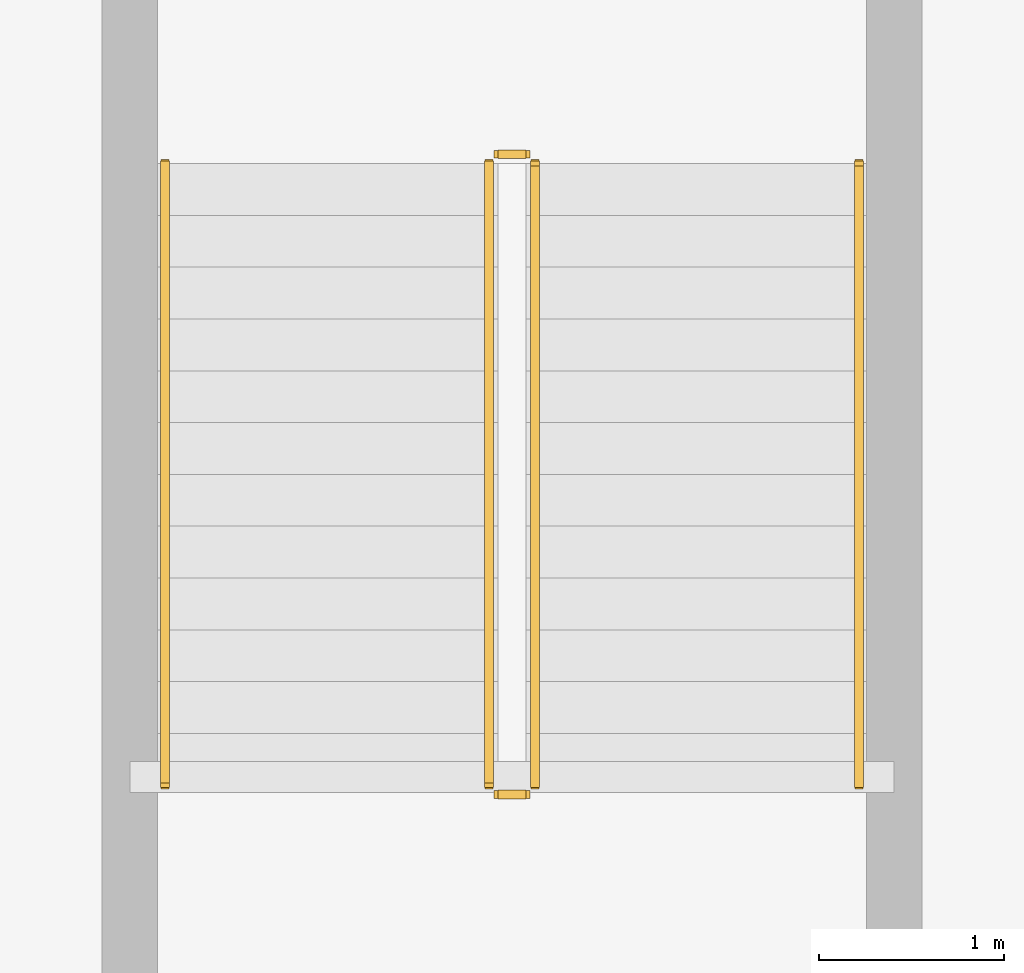
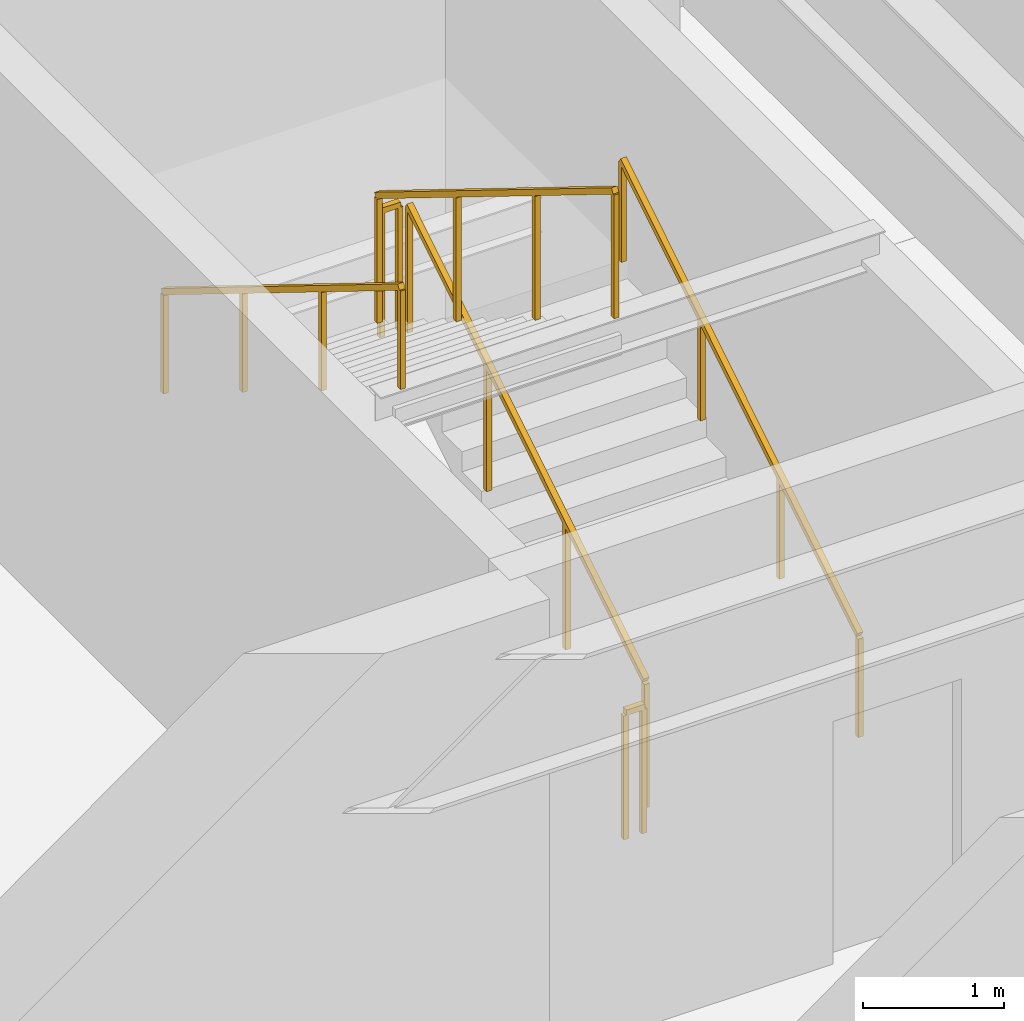
# One storey, part 12 of 12: 6 railings.
"""IFC4 building model written with IfcOpenShell, lengths in metres."""

from ifc_helpers import new_model, si_unit, direction, frame, origin, origin_2d, place, context, subcontext, project, spatial, rectangle, extrude, material, type_object, element, save


model = new_model("IFC4")

# Units and contexts
model_context = context("Model", 3, precision=1e-05, world=origin(), true_north=direction((0.0, 1.0)))
body_context = subcontext(model_context, "Body", "Model", "MODEL_VIEW")
ifc_project = project(units=[si_unit("LENGTHUNIT", "METRE"), si_unit("AREAUNIT", "SQUARE_METRE"), si_unit("VOLUMEUNIT", "CUBIC_METRE"), si_unit("PLANEANGLEUNIT", "RADIAN"), si_unit("MASSUNIT", "GRAM", prefix="KILO")], contexts=[model_context])

# Site, building, storey
site_placement = place(None, origin())
site = spatial("IfcSite", under=ifc_project, at=site_placement, CompositionType="ELEMENT")
building_placement = place(site_placement, origin())
building = spatial("IfcBuilding", under=site, at=building_placement, Name="Vantalir Tower", CompositionType="ELEMENT")
storey_placement = place(building_placement, frame((0.0, 0.0, -9.0)))
storey = spatial("IfcBuildingStorey", under=building, at=storey_placement, Name="B02", CompositionType="ELEMENT", Elevation=-9.0)

# Railings
ifc_material_1 = material(Name="Anodised aluminium and stainless steel guard", Category="steel")
railing_type_1 = type_object("IfcRailingType", Name="RAL-GUARD-1120", PredefinedType="GUARDRAIL", material=ifc_material_1)
railing_1_placement = place(storey_placement, frame((57.199951171875, 40.85009765625, 0.173095703125)))
element("IfcRailing", 1, at=railing_1_placement, inside=storey, type_object=railing_type_1, Name="B02 PST2 stair guard 1", PredefinedType="GUARDRAIL", context=body_context, shape_type="SweptSolid", body=[
    extrude(rectangle(XDim=0.048095703125, YDim=0.048095703125, at=origin_2d()), frame((0.0, 0.0, 1.09619140625), z_axis=(0.0, 0.850606129759, 0.525803396734), x_axis=(-1.0, 0.0, 0.0)), (0.0, 0.0, 1.0), 3.949951171875),
    extrude(rectangle(XDim=0.0419921875, YDim=0.0419921875, at=origin_2d()), origin(), (0.0, 0.0, 1.0), 1.072021484375),
    extrude(rectangle(XDim=0.0419921875, YDim=0.0419921875, at=origin_2d()), frame((0.0, 1.119873046875, 0.6923828125)), (0.0, 0.0, 1.0), 1.072021484375),
    extrude(rectangle(XDim=0.0419921875, YDim=0.0419921875, at=origin_2d()), frame((0.0, 2.239990234375, 1.384521484375)), (0.0, 0.0, 1.0), 1.072021484375),
    extrude(rectangle(XDim=0.0419921875, YDim=0.0419921875, at=origin_2d()), frame((0.0, 3.35986328125, 2.076904296875)), (0.0, 0.0, 1.0), 1.072021484375),
])
railing_2_placement = place(storey_placement, frame((57.14990234375, 44.260009765625, 2.25)))
element("IfcRailing", 2, at=railing_2_placement, inside=storey, type_object=railing_type_1, Name="B02 PST2 stair guard 2", PredefinedType="GUARDRAIL", context=body_context, shape_type="SweptSolid", body=[
    extrude(rectangle(XDim=0.048095703125, YDim=0.048095703125, at=origin_2d()), frame((0.0, 0.0, 1.09619140625), z_axis=(-1.0, 0.0, 0.0), x_axis=(0.0, -1.0, 0.0)), (0.0, 0.0, 1.0), 0.14990234375),
    extrude(rectangle(XDim=0.0419921875, YDim=0.0419921875, at=origin_2d()), origin(), (0.0, 0.0, 1.0), 1.072021484375),
    extrude(rectangle(XDim=0.0419921875, YDim=0.0419921875, at=origin_2d()), frame((-0.14990234375, 0.0, 0.0)), (0.0, 0.0, 1.0), 1.072021484375),
])
railing_3_placement = place(storey_placement, frame((56.949951171875, 44.2099609375, 2.423095703125)))
element("IfcRailing", 3, at=railing_3_placement, inside=storey, type_object=railing_type_1, Name="B02 PST2 stair guard 3", PredefinedType="GUARDRAIL", context=body_context, shape_type="SweptSolid", body=[
    extrude(rectangle(XDim=0.048095703125, YDim=0.048095703125, at=origin_2d()), frame((0.0, 0.0, 1.09619140625), z_axis=(0.0, -0.850606129759, 0.525803396734), x_axis=(1.0, 0.0, 0.0)), (0.0, 0.0, 1.0), 3.949951171875),
    extrude(rectangle(XDim=0.0419921875, YDim=0.0419921875, at=origin_2d()), origin(), (0.0, 0.0, 1.0), 1.072021484375),
    extrude(rectangle(XDim=0.0419921875, YDim=0.0419921875, at=origin_2d()), frame((0.0, -1.119873046875, 0.6923828125)), (0.0, 0.0, 1.0), 1.072021484375),
    extrude(rectangle(XDim=0.0419921875, YDim=0.0419921875, at=origin_2d()), frame((0.0, -2.239990234375, 1.384521484375)), (0.0, 0.0, 1.0), 1.072021484375),
    extrude(rectangle(XDim=0.0419921875, YDim=0.0419921875, at=origin_2d()), frame((0.0, -3.35986328125, 2.076904296875)), (0.0, 0.0, 1.0), 1.072021484375),
])
railing_4_placement = place(storey_placement, frame((57.14990234375, 40.800048828125, 0.0)))
element("IfcRailing", 4, at=railing_4_placement, inside=storey, type_object=railing_type_1, Name="B02 PST2 stair guard 4", PredefinedType="GUARDRAIL", context=body_context, shape_type="SweptSolid", body=[
    extrude(rectangle(XDim=0.048095703125, YDim=0.048095703125, at=origin_2d()), frame((0.0, 0.0, 1.09619140625), z_axis=(-1.0, 0.0, 0.0), x_axis=(0.0, -1.0, 0.0)), (0.0, 0.0, 1.0), 0.14990234375),
    extrude(rectangle(XDim=0.0419921875, YDim=0.0419921875, at=origin_2d()), origin(), (0.0, 0.0, 1.0), 1.072021484375),
    extrude(rectangle(XDim=0.0419921875, YDim=0.0419921875, at=origin_2d()), frame((-0.14990234375, 0.0, 0.0)), (0.0, 0.0, 1.0), 1.072021484375),
])
ifc_material_2 = material(Name="Brushed stainless steel tubular handrail", Category="steel")
railing_type_2 = type_object("IfcRailingType", Name="RAL-HANDRAIL-900", PredefinedType="HANDRAIL", material=ifc_material_2)
railing_5_placement = place(storey_placement, frame((58.949951171875, 40.85009765625, 0.173095703125)))
element("IfcRailing", 5, at=railing_5_placement, inside=storey, type_object=railing_type_2, Name="B02 PST2 stair handrail 1", PredefinedType="HANDRAIL", context=body_context, shape_type="SweptSolid", body=[
    extrude(rectangle(XDim=0.048095703125, YDim=0.048095703125, at=origin_2d()), frame((0.0, 0.0, 0.8759765625), z_axis=(0.0, 0.850606129759, 0.525803396734), x_axis=(-1.0, 0.0, 0.0)), (0.0, 0.0, 1.0), 3.949951171875),
    extrude(rectangle(XDim=0.0419921875, YDim=0.0419921875, at=origin_2d()), origin(), (0.0, 0.0, 1.0), 0.851806640625),
    extrude(rectangle(XDim=0.0419921875, YDim=0.0419921875, at=origin_2d()), frame((0.0, 1.119873046875, 0.6923828125)), (0.0, 0.0, 1.0), 0.851806640625),
    extrude(rectangle(XDim=0.0419921875, YDim=0.0419921875, at=origin_2d()), frame((0.0, 2.239990234375, 1.384521484375)), (0.0, 0.0, 1.0), 0.851806640625),
    extrude(rectangle(XDim=0.0419921875, YDim=0.0419921875, at=origin_2d()), frame((0.0, 3.35986328125, 2.076904296875)), (0.0, 0.0, 1.0), 0.851806640625),
])
railing_6_placement = place(storey_placement, frame((55.199951171875, 44.2099609375, 2.423095703125)))
element("IfcRailing", 6, at=railing_6_placement, inside=storey, type_object=railing_type_2, Name="B02 PST2 stair handrail 2", PredefinedType="HANDRAIL", context=body_context, shape_type="SweptSolid", body=[
    extrude(rectangle(XDim=0.048095703125, YDim=0.048095703125, at=origin_2d()), frame((0.0, 0.0, 0.8759765625), z_axis=(0.0, -0.850606129759, 0.525803396734), x_axis=(1.0, 0.0, 0.0)), (0.0, 0.0, 1.0), 3.949951171875),
    extrude(rectangle(XDim=0.0419921875, YDim=0.0419921875, at=origin_2d()), origin(), (0.0, 0.0, 1.0), 0.851806640625),
    extrude(rectangle(XDim=0.0419921875, YDim=0.0419921875, at=origin_2d()), frame((0.0, -1.119873046875, 0.6923828125)), (0.0, 0.0, 1.0), 0.851806640625),
    extrude(rectangle(XDim=0.0419921875, YDim=0.0419921875, at=origin_2d()), frame((0.0, -2.239990234375, 1.384521484375)), (0.0, 0.0, 1.0), 0.851806640625),
    extrude(rectangle(XDim=0.0419921875, YDim=0.0419921875, at=origin_2d()), frame((0.0, -3.35986328125, 2.076904296875)), (0.0, 0.0, 1.0), 0.851806640625),
])

save(model, "model.ifc")
